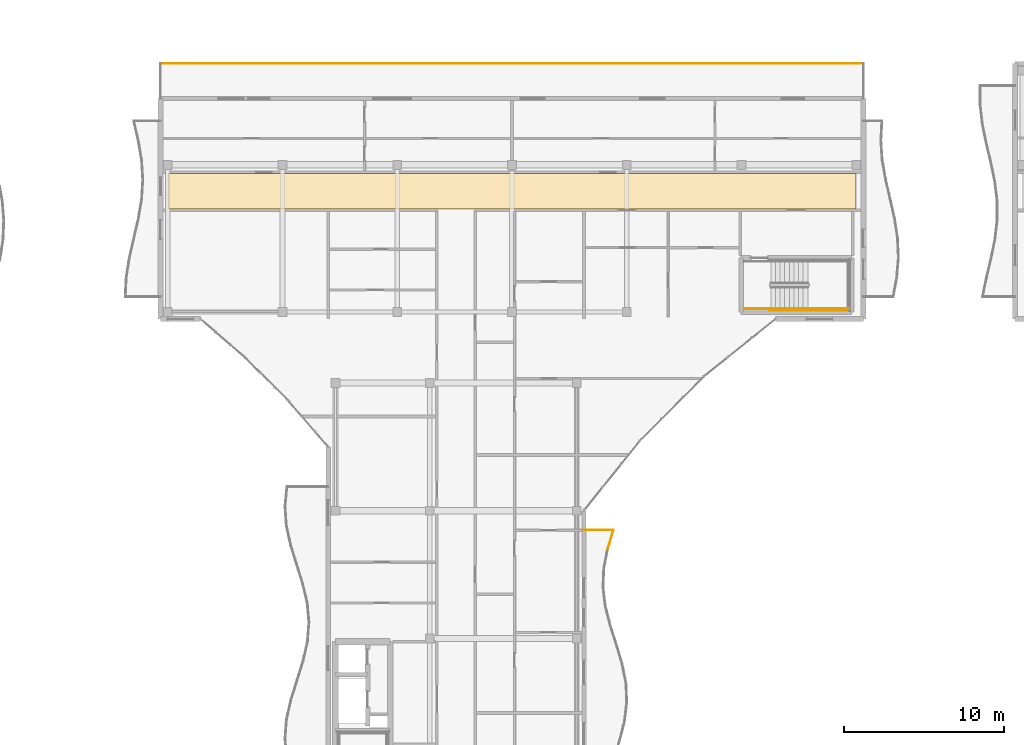
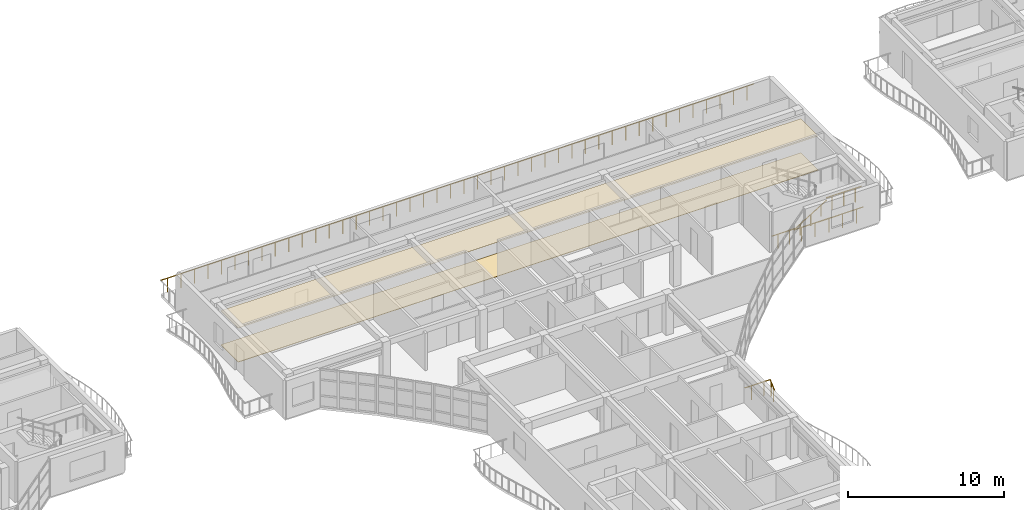
# One storey, part 47 of 54: 7 railings, 2 coverings.
"""IFC4 building model written with IfcOpenShell, lengths in metres."""

from ifc_helpers import new_model, si_unit, direction, frame, origin, origin_2d, place, context, subcontext, project, spatial, polyline, circle, outline, extrude, material, layer, layer_set, type_object, element, save


model = new_model("IFC4")

# Units and contexts
model_context = context("Model", 3, precision=1e-05, world=origin(), true_north=direction((0.0, 1.0)))
body_context = subcontext(model_context, "Body", "Model", "MODEL_VIEW")
ifc_project = project(units=[si_unit("LENGTHUNIT", "METRE"), si_unit("AREAUNIT", "SQUARE_METRE"), si_unit("VOLUMEUNIT", "CUBIC_METRE"), si_unit("PLANEANGLEUNIT", "RADIAN"), si_unit("MASSUNIT", "GRAM", prefix="KILO")], contexts=[model_context])

# Site, building, storey
site_placement = place(None, origin())
site = spatial("IfcSite", under=ifc_project, at=site_placement, CompositionType="ELEMENT")
building_placement = place(site_placement, origin())
building = spatial("IfcBuilding", under=site, at=building_placement, Name="Keldmere Railside Commons", CompositionType="ELEMENT")
storey_placement = place(building_placement, frame((0.0, 0.0, 26.56005859375)))
storey = spatial("IfcBuildingStorey", under=building, at=storey_placement, Name="L08", CompositionType="ELEMENT", Elevation=26.56005859375)

# Railings
ifc_material_1 = material(Name="Steel F-24 (S235)", Category="steel")
railing_type_1 = type_object("IfcRailingType", Name="Balcony & Terrace Steel Balustrade 1100", PredefinedType="BALUSTRADE", material=ifc_material_1)
railing_1_placement = place(storey_placement, frame((121.49365234375, 85.60009765625, 0.0)))
element("IfcRailing", 1, at=railing_1_placement, inside=storey, type_object=railing_type_1, Name="GR-1 GRD-L08-2783", PredefinedType="BALUSTRADE", context=body_context, shape_type="SweptSolid", body=[
    extrude(circle(Radius=0.02392578125, at=origin_2d()), frame((0.0, 0.0, 1.076171875), z_axis=(0.286543038672, 0.958067370798, 0.0), x_axis=(-0.958067370798, 0.286543038672, 0.0)), (0.0, 0.0, 1.0), 1.25244140625),
    extrude(circle(Radius=0.02099609375, at=origin_2d()), frame((0.08984375, 0.300048828125, 0.0)), (0.0, 0.0, 1.0), 1.048095703125),
    extrude(circle(Radius=0.02099609375, at=origin_2d()), frame((0.26904296875, 0.89990234375, 0.0)), (0.0, 0.0, 1.0), 1.048095703125),
])
railing_2_placement = place(storey_placement, frame((121.8525390625, 86.800048828125, 0.0)))
element("IfcRailing", 2, at=railing_2_placement, inside=storey, type_object=railing_type_1, Name="GR-1 GRD-L08-2784", PredefinedType="BALUSTRADE", context=body_context, shape_type="SweptSolid", body=[
    extrude(circle(Radius=0.02392578125, at=origin_2d()), frame((0.0, 0.0, 1.076171875), z_axis=(-1.0, 0.0, 0.0), x_axis=(0.0, -1.0, 0.0)), (0.0, 0.0, 1.0), 1.8525390625),
    extrude(circle(Radius=0.02099609375, at=origin_2d()), frame((-0.463134765625, 0.0, 0.0)), (0.0, 0.0, 1.0), 1.048095703125),
    extrude(circle(Radius=0.02099609375, at=origin_2d()), frame((-1.389404296875, 0.0, 0.0)), (0.0, 0.0, 1.0), 1.048095703125),
])
railing_3_placement = place(storey_placement, frame((93.5, 116.0, 0.0)))
element("IfcRailing", 3, at=railing_3_placement, inside=storey, type_object=railing_type_1, Name="GR-1 GRD-L08-2837", PredefinedType="BALUSTRADE", context=body_context, shape_type="SweptSolid", body=[
    extrude(circle(Radius=0.02392578125, at=origin_2d()), frame((0.0, 0.0, 1.076171875), z_axis=(1.0, 0.0, 0.0), x_axis=(0.0, 1.0, 0.0)), (0.0, 0.0, 1.0), 44.0),
    extrude(circle(Radius=0.02099609375, at=origin_2d()), frame((0.5, 0.0, 0.0)), (0.0, 0.0, 1.0), 1.048095703125),
    extrude(circle(Radius=0.02099609375, at=origin_2d()), frame((1.5, 0.0, 0.0)), (0.0, 0.0, 1.0), 1.048095703125),
    extrude(circle(Radius=0.02099609375, at=origin_2d()), frame((2.5, 0.0, 0.0)), (0.0, 0.0, 1.0), 1.048095703125),
    extrude(circle(Radius=0.02099609375, at=origin_2d()), frame((3.5, 0.0, 0.0)), (0.0, 0.0, 1.0), 1.048095703125),
    extrude(circle(Radius=0.02099609375, at=origin_2d()), frame((4.5, 0.0, 0.0)), (0.0, 0.0, 1.0), 1.048095703125),
    extrude(circle(Radius=0.02099609375, at=origin_2d()), frame((5.5, 0.0, 0.0)), (0.0, 0.0, 1.0), 1.048095703125),
    extrude(circle(Radius=0.02099609375, at=origin_2d()), frame((6.5, 0.0, 0.0)), (0.0, 0.0, 1.0), 1.048095703125),
    extrude(circle(Radius=0.02099609375, at=origin_2d()), frame((7.5, 0.0, 0.0)), (0.0, 0.0, 1.0), 1.048095703125),
    extrude(circle(Radius=0.02099609375, at=origin_2d()), frame((8.5, 0.0, 0.0)), (0.0, 0.0, 1.0), 1.048095703125),
    extrude(circle(Radius=0.02099609375, at=origin_2d()), frame((9.5, 0.0, 0.0)), (0.0, 0.0, 1.0), 1.048095703125),
    extrude(circle(Radius=0.02099609375, at=origin_2d()), frame((10.5, 0.0, 0.0)), (0.0, 0.0, 1.0), 1.048095703125),
    extrude(circle(Radius=0.02099609375, at=origin_2d()), frame((11.5, 0.0, 0.0)), (0.0, 0.0, 1.0), 1.048095703125),
    extrude(circle(Radius=0.02099609375, at=origin_2d()), frame((12.5, 0.0, 0.0)), (0.0, 0.0, 1.0), 1.048095703125),
    extrude(circle(Radius=0.02099609375, at=origin_2d()), frame((13.5, 0.0, 0.0)), (0.0, 0.0, 1.0), 1.048095703125),
    extrude(circle(Radius=0.02099609375, at=origin_2d()), frame((14.5, 0.0, 0.0)), (0.0, 0.0, 1.0), 1.048095703125),
    extrude(circle(Radius=0.02099609375, at=origin_2d()), frame((15.5, 0.0, 0.0)), (0.0, 0.0, 1.0), 1.048095703125),
    extrude(circle(Radius=0.02099609375, at=origin_2d()), frame((16.5, 0.0, 0.0)), (0.0, 0.0, 1.0), 1.048095703125),
    extrude(circle(Radius=0.02099609375, at=origin_2d()), frame((17.5, 0.0, 0.0)), (0.0, 0.0, 1.0), 1.048095703125),
    extrude(circle(Radius=0.02099609375, at=origin_2d()), frame((18.5, 0.0, 0.0)), (0.0, 0.0, 1.0), 1.048095703125),
    extrude(circle(Radius=0.02099609375, at=origin_2d()), frame((19.5, 0.0, 0.0)), (0.0, 0.0, 1.0), 1.048095703125),
    extrude(circle(Radius=0.02099609375, at=origin_2d()), frame((20.5, 0.0, 0.0)), (0.0, 0.0, 1.0), 1.048095703125),
    extrude(circle(Radius=0.02099609375, at=origin_2d()), frame((21.5, 0.0, 0.0)), (0.0, 0.0, 1.0), 1.048095703125),
    extrude(circle(Radius=0.02099609375, at=origin_2d()), frame((22.5, 0.0, 0.0)), (0.0, 0.0, 1.0), 1.048095703125),
    extrude(circle(Radius=0.02099609375, at=origin_2d()), frame((23.5, 0.0, 0.0)), (0.0, 0.0, 1.0), 1.048095703125),
    extrude(circle(Radius=0.02099609375, at=origin_2d()), frame((24.5, 0.0, 0.0)), (0.0, 0.0, 1.0), 1.048095703125),
    extrude(circle(Radius=0.02099609375, at=origin_2d()), frame((25.5, 0.0, 0.0)), (0.0, 0.0, 1.0), 1.048095703125),
    extrude(circle(Radius=0.02099609375, at=origin_2d()), frame((26.5, 0.0, 0.0)), (0.0, 0.0, 1.0), 1.048095703125),
    extrude(circle(Radius=0.02099609375, at=origin_2d()), frame((27.5, 0.0, 0.0)), (0.0, 0.0, 1.0), 1.048095703125),
    extrude(circle(Radius=0.02099609375, at=origin_2d()), frame((28.5, 0.0, 0.0)), (0.0, 0.0, 1.0), 1.048095703125),
    extrude(circle(Radius=0.02099609375, at=origin_2d()), frame((29.5, 0.0, 0.0)), (0.0, 0.0, 1.0), 1.048095703125),
    extrude(circle(Radius=0.02099609375, at=origin_2d()), frame((30.5, 0.0, 0.0)), (0.0, 0.0, 1.0), 1.048095703125),
    extrude(circle(Radius=0.02099609375, at=origin_2d()), frame((31.5, 0.0, 0.0)), (0.0, 0.0, 1.0), 1.048095703125),
    extrude(circle(Radius=0.02099609375, at=origin_2d()), frame((32.5, 0.0, 0.0)), (0.0, 0.0, 1.0), 1.048095703125),
    extrude(circle(Radius=0.02099609375, at=origin_2d()), frame((33.5, 0.0, 0.0)), (0.0, 0.0, 1.0), 1.048095703125),
    extrude(circle(Radius=0.02099609375, at=origin_2d()), frame((34.5, 0.0, 0.0)), (0.0, 0.0, 1.0), 1.048095703125),
    extrude(circle(Radius=0.02099609375, at=origin_2d()), frame((35.5, 0.0, 0.0)), (0.0, 0.0, 1.0), 1.048095703125),
    extrude(circle(Radius=0.02099609375, at=origin_2d()), frame((36.5, 0.0, 0.0)), (0.0, 0.0, 1.0), 1.048095703125),
    extrude(circle(Radius=0.02099609375, at=origin_2d()), frame((37.5, 0.0, 0.0)), (0.0, 0.0, 1.0), 1.048095703125),
    extrude(circle(Radius=0.02099609375, at=origin_2d()), frame((38.5, 0.0, 0.0)), (0.0, 0.0, 1.0), 1.048095703125),
    extrude(circle(Radius=0.02099609375, at=origin_2d()), frame((39.5, 0.0, 0.0)), (0.0, 0.0, 1.0), 1.048095703125),
    extrude(circle(Radius=0.02099609375, at=origin_2d()), frame((40.5, 0.0, 0.0)), (0.0, 0.0, 1.0), 1.048095703125),
    extrude(circle(Radius=0.02099609375, at=origin_2d()), frame((41.5, 0.0, 0.0)), (0.0, 0.0, 1.0), 1.048095703125),
    extrude(circle(Radius=0.02099609375, at=origin_2d()), frame((42.5, 0.0, 0.0)), (0.0, 0.0, 1.0), 1.048095703125),
    extrude(circle(Radius=0.02099609375, at=origin_2d()), frame((43.5, 0.0, 0.0)), (0.0, 0.0, 1.0), 1.048095703125),
])

# Covering
ifc_material_2 = material(Name="Polished Terrazzo Tile Flooring", Category="concrete")
ifc_layer_1 = layer(ifc_material_2, 0.030029296875, Name="Polished Terrazzo Floor Finish 30")
ifc_layer_set_1 = layer_set([ifc_layer_1], Name="Polished Terrazzo Tile Flooring")
covering_type_1 = type_object("IfcCoveringType", Name="Polished Terrazzo Floor Finish 30", PredefinedType="FLOORING", material=ifc_layer_set_1)
covering_1_placement = place(storey_placement, origin())
element("IfcCovering", 4, at=covering_1_placement, inside=storey, type_object=covering_type_1, Name="FLR-1 Corridor Terrazzo B-L08", PredefinedType="FLOORING", context=body_context, shape_type="SweptSolid", body=[
    extrude(outline(polyline([(93.97998046875, 106.8798828125), (137.02001953125, 106.8798828125), (137.02001953125, 109.1201171875), (93.97998046875, 109.1201171875), (93.97998046875, 106.8798828125)])), origin(), (0.0, 0.0, 1.0), 0.030029296875),
])

# Railings
railing_type_2 = type_object("IfcRailingType", Name="Stair Well Steel Guardrail 1100", PredefinedType="BALUSTRADE", material=ifc_material_1)
railing_4_placement = place(storey_placement, frame((134.02001953125, 100.64990234375, 1.599853515625)))
element("IfcRailing", 5, at=railing_4_placement, inside=storey, type_object=railing_type_2, Name="L08 ST-B2 stair guard 3", PredefinedType="BALUSTRADE", context=body_context, shape_type="SweptSolid", body=[
    extrude(circle(Radius=0.02392578125, at=origin_2d()), frame((0.0, 0.0, 1.076171875), z_axis=(1.0, 0.0, 0.0), x_axis=(0.0, 1.0, 0.0)), (0.0, 0.0, 1.0), 2.580078125),
    extrude(circle(Radius=0.02099609375, at=origin_2d()), frame((0.429931640625, 0.0, 0.0)), (0.0, 0.0, 1.0), 1.048095703125),
    extrude(circle(Radius=0.02099609375, at=origin_2d()), frame((1.2900390625, 0.0, 0.0)), (0.0, 0.0, 1.0), 1.048095703125),
    extrude(circle(Radius=0.02099609375, at=origin_2d()), frame((2.150146484375, 0.0, 0.0)), (0.0, 0.0, 1.0), 1.048095703125),
])
railing_5_placement = place(storey_placement, frame((130.0, 100.64990234375, 0.0)))
element("IfcRailing", 6, at=railing_5_placement, inside=storey, type_object=railing_type_2, Name="L08 ST-B2 stair guard 8", PredefinedType="BALUSTRADE", context=body_context, shape_type="SweptSolid", body=[
    extrude(circle(Radius=0.02392578125, at=origin_2d()), frame((0.0, 0.0, 1.076171875), z_axis=(1.0, 0.0, 0.0), x_axis=(0.0, 1.0, 0.0)), (0.0, 0.0, 1.0), 1.699951171875),
    extrude(circle(Radius=0.02099609375, at=origin_2d()), frame((0.425048828125, 0.0, 0.0)), (0.0, 0.0, 1.0), 1.048095703125),
    extrude(circle(Radius=0.02099609375, at=origin_2d()), frame((1.27490234375, 0.0, 0.0)), (0.0, 0.0, 1.0), 1.048095703125),
])
railing_6_placement = place(storey_placement, frame((131.60009765625, 100.550048828125, 0.0)))
element("IfcRailing", 7, at=railing_6_placement, inside=storey, type_object=railing_type_2, Name="L08 ST-B2 stair guard 10", PredefinedType="BALUSTRADE", context=body_context, shape_type="SweptSolid", body=[
    extrude(circle(Radius=0.02392578125, at=origin_2d()), frame((0.0, 0.0, 1.076171875), z_axis=(1.0, 0.0, 0.0), x_axis=(0.0, 1.0, 0.0)), (0.0, 0.0, 1.0), 5.099853515625),
    extrude(circle(Radius=0.02099609375, at=origin_2d()), frame((0.510009765625, 0.0, 0.0)), (0.0, 0.0, 1.0), 1.048095703125),
    extrude(circle(Radius=0.02099609375, at=origin_2d()), frame((1.530029296875, 0.0, 0.0)), (0.0, 0.0, 1.0), 1.048095703125),
    extrude(circle(Radius=0.02099609375, at=origin_2d()), frame((2.5498046875, 0.0, 0.0)), (0.0, 0.0, 1.0), 1.048095703125),
    extrude(circle(Radius=0.02099609375, at=origin_2d()), frame((3.56982421875, 0.0, 0.0)), (0.0, 0.0, 1.0), 1.048095703125),
    extrude(circle(Radius=0.02099609375, at=origin_2d()), frame((4.58984375, 0.0, 0.0)), (0.0, 0.0, 1.0), 1.048095703125),
])

# Covering
ifc_material_3 = material(Name="Acoustic Mineral-Fibre Gypsum Ceiling", Category="gypsum")
ifc_layer_2 = layer(ifc_material_3, 0.02490234375, Name="Suspended Acoustic Ceiling 25")
ifc_layer_set_2 = layer_set([ifc_layer_2], Name="Acoustic Mineral-Fibre Gypsum Ceiling")
covering_type_2 = type_object("IfcCoveringType", Name="Suspended Acoustic Ceiling 25", PredefinedType="CEILING", material=ifc_layer_set_2)
covering_2_placement = place(storey_placement, frame((0.0, 0.0, 2.675048828125)))
element("IfcCovering", 8, at=covering_2_placement, inside=storey, type_object=covering_type_2, Name="CLG-1 Corridor Ceiling B-L08", PredefinedType="CEILING", context=body_context, shape_type="SweptSolid", body=[
    extrude(outline(polyline([(93.97998046875, 106.8798828125), (137.02001953125, 106.8798828125), (137.02001953125, 109.1201171875), (93.97998046875, 109.1201171875), (93.97998046875, 106.8798828125)])), origin(), (0.0, 0.0, 1.0), 0.02490234375),
])

# Railing
railing_type_3 = type_object("IfcRailingType", Name="Wall-Mounted Tubular Steel Handrail 900", PredefinedType="HANDRAIL", material=ifc_material_1)
railing_7_placement = place(storey_placement, frame((131.699951171875, 100.64990234375, 0.177734375)))
element("IfcRailing", 9, at=railing_7_placement, inside=storey, type_object=railing_type_3, Name="L08 ST-B2 stair handrail 1", PredefinedType="HANDRAIL", context=body_context, shape_type="SweptSolid", body=[
    extrude(circle(Radius=0.02392578125, at=origin_2d()), frame((0.0, 0.0, 0.8759765625), z_axis=(0.852578041948, 0.0, 0.522599925744), x_axis=(0.0, 1.0, 0.0)), (0.0, 0.0, 1.0), 2.72119140625),
    extrude(circle(Radius=0.02099609375, at=origin_2d()), frame((0.38671875, 0.0, 0.237060546875)), (0.0, 0.0, 1.0), 0.847900390625),
    extrude(circle(Radius=0.02099609375, at=origin_2d()), frame((1.16015625, 0.0, 0.7109375)), (0.0, 0.0, 1.0), 0.847900390625),
    extrude(circle(Radius=0.02099609375, at=origin_2d()), frame((1.933349609375, 0.0, 1.18505859375)), (0.0, 0.0, 1.0), 0.847900390625),
])

save(model, "model.ifc")
